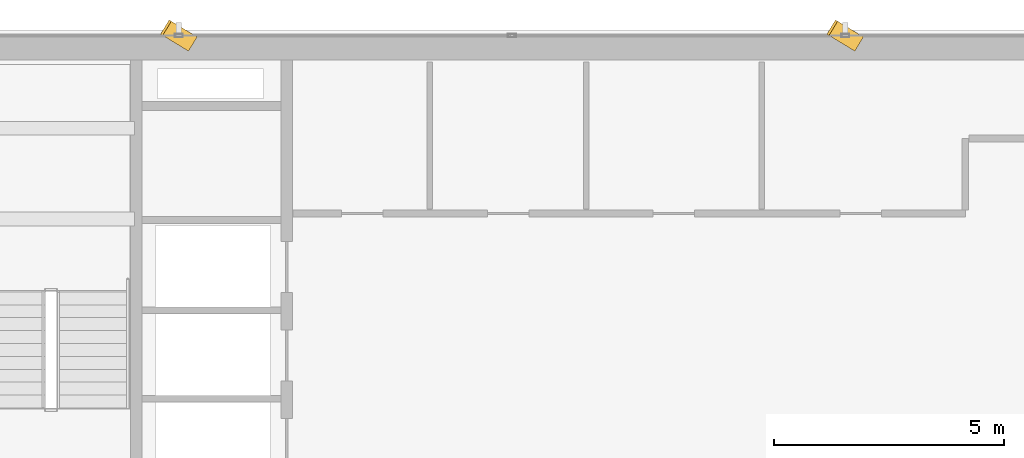
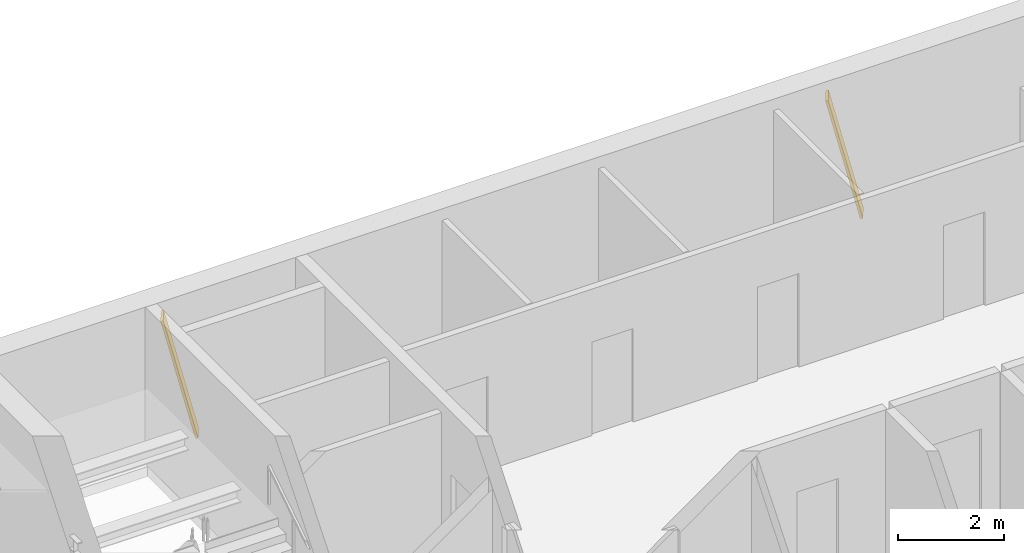
# One storey, part 22 of 23: 2 shading devices.
"""IFC4 building model written with IfcOpenShell, lengths in metres."""

from ifc_helpers import new_model, si_unit, direction, frame, origin, origin_2d, place, context, subcontext, project, spatial, rectangle, extrude, source, transform, mapped, material, material_profile, profile_set, type_object, element, save


model = new_model("IFC4")

# Units and contexts
model_context = context("Model", 3, precision=1e-05, world=origin(), true_north=direction((0.0, 1.0)))
body_context = subcontext(model_context, "Body", "Model", "MODEL_VIEW")
ifc_project = project(units=[si_unit("LENGTHUNIT", "METRE"), si_unit("AREAUNIT", "SQUARE_METRE"), si_unit("VOLUMEUNIT", "CUBIC_METRE"), si_unit("PLANEANGLEUNIT", "RADIAN"), si_unit("MASSUNIT", "GRAM", prefix="KILO")], contexts=[model_context])

# Site, building, storey
site_placement = place(None, origin())
site = spatial("IfcSite", under=ifc_project, at=site_placement, CompositionType="ELEMENT")
building_placement = place(site_placement, origin())
building = spatial("IfcBuilding", under=site, at=building_placement, Name="Sumidabori Civic Tower", CompositionType="ELEMENT")
storey_placement = place(building_placement, frame((0.0, 0.0, 275.60009765625)))
storey = spatial("IfcBuildingStorey", under=building, at=storey_placement, Name="L72", CompositionType="ELEMENT", Elevation=275.60009765625)

# Shading devices
ifc_material = material(Name="Anodised Bronze Aluminium AW-6063-T6", Category="aluminium")
ifc_material_profile = material_profile(ifc_material, rectangle(XDim=0.054931640625, YDim=0.360107421875, at=origin_2d()), Name="BRONZE FIN 360x55")
ifc_profile_set = profile_set([ifc_material_profile], Name="Anodised Bronze Aluminium AW-6063-T6")
shading_device_type = type_object("IfcShadingDeviceType", Name="SH-FIN-360", PredefinedType="USERDEFINED", material=ifc_profile_set)
shared_shape = source(origin(), body_context, "Body", "SweptSolid", [
    extrude(rectangle(XDim=0.054931640625, YDim=0.360107421875, at=origin_2d()), origin(), (0.0, 0.0, 1.0), 2.7685546875),
])
for number, where, z_axis, x_axis, name in (
    (1, (3.89404296875, 23.909912109375, 0.02001953125), (-0.202289930374, 0.122837782481, 0.971591304646), (0.830469701518, -0.504291322674, 0.236665030656), "Bronze Anodised Diagonal Fin L72-02"),
    (2, (-10.56201171875, 23.909912109375, 0.02001953125), (-0.202289930374, 0.122837782481, 0.971591304646), (0.830469701518, -0.504291322674, 0.236665030656), "Bronze Anodised Diagonal Fin L72-04"),
):
    element("IfcShadingDevice", number, at=place(storey_placement, frame(where, z_axis=z_axis, x_axis=x_axis)), inside=storey, type_object=shading_device_type, Name=name, ObjectType="FIN", PredefinedType="USERDEFINED", context=body_context, shape_type="MappedRepresentation", body=[
        mapped(shared_shape, transform((0.0, 0.0, 0.0), x_axis=(1.0, 0.0, 0.0), y_axis=(0.0, 1.0, 0.0), z_axis=(0.0, 0.0, 1.0), scale=1.0)),
    ])

save(model, "model.ifc")
